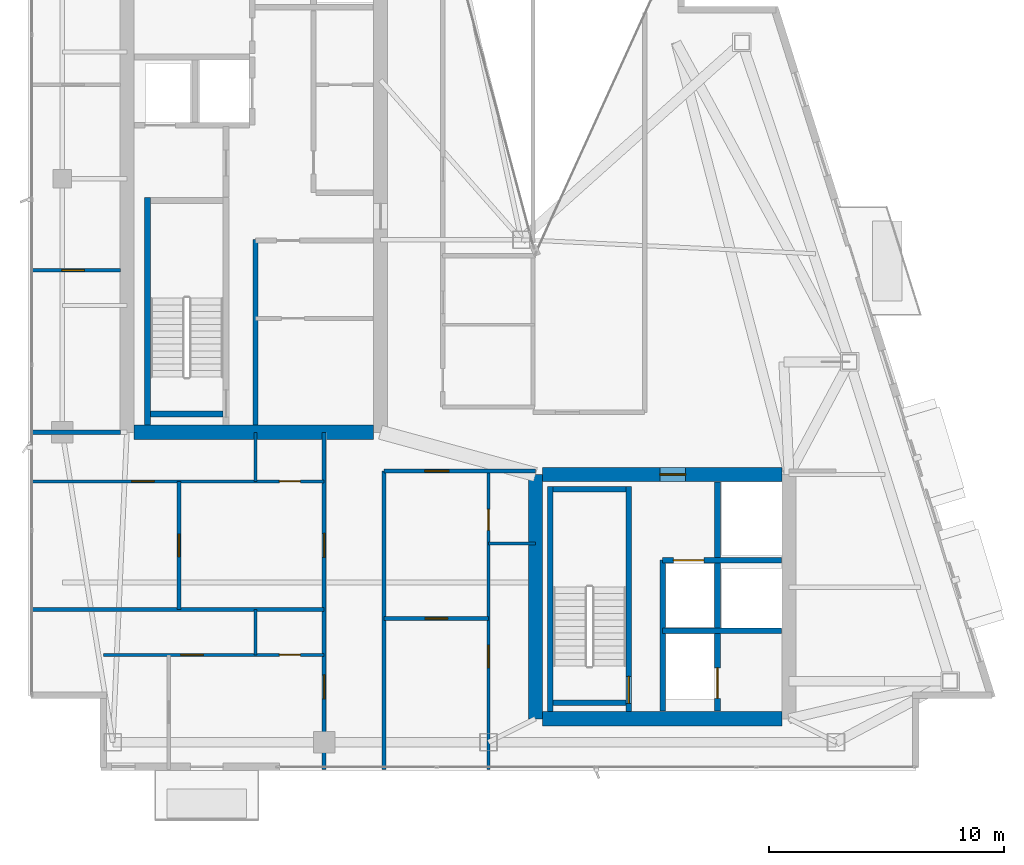
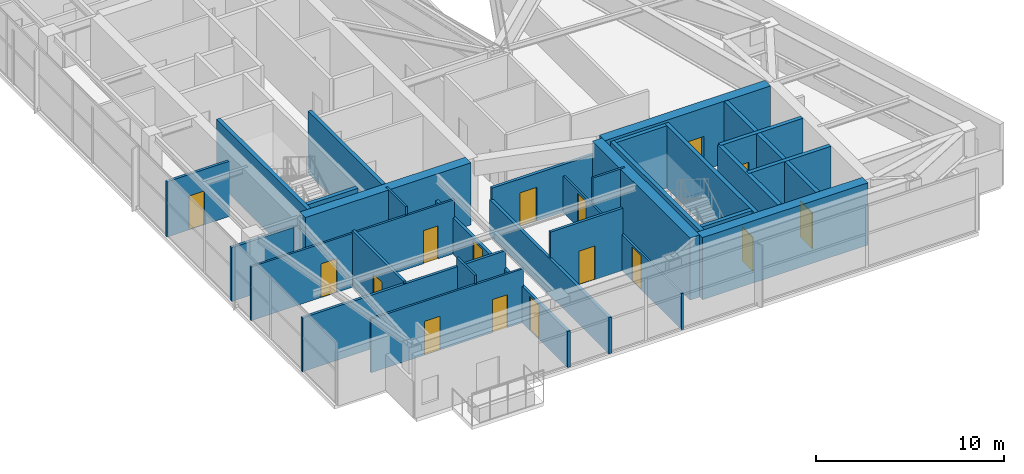
# One storey, part 21 of 26: 29 walls, 16 doors, 16 openings.
"""IFC4 building model written with IfcOpenShell, lengths in metres."""

from ifc_helpers import new_model, si_unit, direction, frame, frame_2d, origin, place, context, subcontext, project, spatial, rectangle, extrude, material, layer, layer_set, type_object, element, fill, save


model = new_model("IFC4")

# Units and contexts
model_context = context("Model", 3, precision=1e-05, world=origin(), true_north=direction((0.0, 1.0)))
body_context = subcontext(model_context, "Body", "Model", "MODEL_VIEW")
ifc_project = project(units=[si_unit("LENGTHUNIT", "METRE"), si_unit("AREAUNIT", "SQUARE_METRE"), si_unit("VOLUMEUNIT", "CUBIC_METRE"), si_unit("PLANEANGLEUNIT", "RADIAN"), si_unit("MASSUNIT", "GRAM", prefix="KILO")], contexts=[model_context])

# Site, building, storey
site_placement = place(None, origin())
site = spatial("IfcSite", under=ifc_project, at=site_placement, CompositionType="ELEMENT")
building_placement = place(site_placement, origin())
building = spatial("IfcBuilding", under=site, at=building_placement, Name="Calvorn Quay Hotel", CompositionType="ELEMENT")
storey_placement = place(building_placement, frame((0.0, 0.0, 302.5)))
storey = spatial("IfcBuildingStorey", under=building, at=storey_placement, Name="L75", CompositionType="ELEMENT", Elevation=302.5)

# Walls
ifc_material_1 = material(Name="Concrete C45", Category="concrete")
ifc_layer_1 = layer(ifc_material_1, 0.60009765625)
ifc_layer_set_1 = layer_set([ifc_layer_1], Name="WL-CORE-600")
wall_type_1 = type_object("IfcWallType", Name="WL-CORE-600", PredefinedType="SHEAR", material=ifc_layer_set_1)
wall_1_placement = place(storey_placement, frame((4.5, 16.800048828125, 0.0), z_axis=(0.0, 0.0, 1.0), x_axis=(1.0, 0.0, 0.0)))
element("IfcWall", 1, at=wall_1_placement, inside=storey, type_object=wall_type_1, Name="West Core Shear Wall S (L75)", PredefinedType="SHEAR", context=body_context, shape_type="SweptSolid", body=[
    extrude(rectangle(XDim=10.199951171875, YDim=0.60009765625, at=frame_2d((5.10009765625, 0.0))), origin(), (0.0, 0.0, 1.0), 4.050048828125),
])
wall_2_placement = place(storey_placement, frame((21.60009765625, 4.60009765625, 0.0), z_axis=(0.0, 0.0, 1.0), x_axis=(0.0, 1.0, 0.0)))
element("IfcWall", 2, at=wall_2_placement, inside=storey, type_object=wall_type_1, Name="East Core Shear Wall W (L75)", PredefinedType="SHEAR", context=body_context, shape_type="SweptSolid", body=[
    extrude(rectangle(XDim=10.39990234375, YDim=0.60009765625, at=frame_2d((5.199951171875, 0.0))), origin(), (0.0, 0.0, 1.0), 4.050048828125),
])

# Wall, opening, door
wall_3_placement = place(storey_placement, frame((21.89990234375, 15.0, 0.0), z_axis=(0.0, 0.0, 1.0), x_axis=(1.0, 0.0, 0.0)))
wall_3 = element("IfcWall", 3, at=wall_3_placement, inside=storey, type_object=wall_type_1, Name="East Core Shear Wall N (L75)", PredefinedType="SHEAR", context=body_context, shape_type="SweptSolid", body=[
    extrude(rectangle(XDim=10.2001953125, YDim=0.60009765625, at=frame_2d((5.10009765625, 0.0))), origin(), (0.0, 0.0, 1.0), 4.050048828125),
])
opening_1_placement = place(wall_3_placement, frame((5.0, 0.0, 0.0)))
opening_1 = element("IfcOpeningElement", 4, at=opening_1_placement, cuts=wall_3, Name="Opening D-L75-FLE", PredefinedType="OPENING", context=body_context, shape_type="SweptSolid", body=[
    extrude(rectangle(XDim=1.10009765625, YDim=2.199951171875, at=frame_2d((0.550048828125, 1.10009765625))), frame((0.0, 0.31005859375, 0.0), z_axis=(0.0, -1.0, 0.0), x_axis=(1.0, 0.0, 0.0)), (0.0, 0.0, 1.0), 0.6201171875),
])
ifc_material_2 = material(Name="Smoke-Sealed Steel Class A Fire Door", Category="steel")
door_type_1 = type_object("IfcDoorType", Name="DR-FFLOBBY-1100", OperationType="NOTDEFINED", PredefinedType="DOOR", material=ifc_material_2)
door_1_placement = place(opening_1_placement, origin())
door_1 = element("IfcDoor", 5, at=door_1_placement, inside=storey, type_object=door_type_1, Name="East Firefighting Lobby Fire Door (L75)", OperationType="SINGLE_SWING_LEFT", OverallHeight=2.199951171875, OverallWidth=1.10009765625, PredefinedType="DOOR", context=body_context, shape_type="SweptSolid", body=[
    extrude(rectangle(XDim=1.10009765625, YDim=2.199951171875, at=frame_2d((0.550048828125, 1.10009765625))), frame((0.0, 0.02490234375, 0.0), z_axis=(0.0, -1.0, 0.0), x_axis=(1.0, 0.0, 0.0)), (0.0, 0.0, 1.0), 0.050048828125),
])
fill(opening_1, door_1)

# Walls
wall_4_placement = place(storey_placement, frame((21.89990234375, 4.60009765625, 0.0), z_axis=(0.0, 0.0, 1.0), x_axis=(1.0, 0.0, 0.0)))
element("IfcWall", 6, at=wall_4_placement, inside=storey, type_object=wall_type_1, Name="East Core Shear Wall S (L75)", PredefinedType="SHEAR", context=body_context, shape_type="SweptSolid", body=[
    extrude(rectangle(XDim=10.2001953125, YDim=0.60009765625, at=frame_2d((5.10009765625, 0.0))), origin(), (0.0, 0.0, 1.0), 4.050048828125),
])
ifc_material_3 = material(Name="Acoustic Fireboard Steel-Stud Partition", Category="steel")
ifc_layer_2 = layer(ifc_material_3, 0.179931640625)
ifc_layer_set_2 = layer_set([ifc_layer_2], Name="WL-CORR-FIRE-180")
wall_type_2 = type_object("IfcWallType", Name="WL-CORR-FIRE-180", PredefinedType="PARTITIONING", material=ifc_layer_set_2)
wall_5_placement = place(storey_placement, frame((0.080078125, 16.800048828125, 0.0), z_axis=(0.0, 0.0, 1.0), x_axis=(1.0, 0.0, 0.0)))
element("IfcWall", 7, at=wall_5_placement, inside=storey, type_object=wall_type_2, Name="Partition Wall L75-WL-WBAY-S-WALL", PredefinedType="PARTITIONING", context=body_context, shape_type="SweptSolid", body=[
    extrude(rectangle(XDim=3.849853515625, YDim=0.179931640625, at=frame_2d((1.9248046875, 0.0))), origin(), (0.0, 0.0, 1.0), 3.5),
])

# Wall, openings, doors
wall_6_placement = place(storey_placement, frame((12.60009765625, 2.43994140625, 0.0), z_axis=(0.0, 0.0, 1.0), x_axis=(0.0, 1.0, 0.0)))
wall_6 = element("IfcWall", 8, at=wall_6_placement, inside=storey, type_object=wall_type_2, Name="Partition Wall L75-WL-CORR-SW-LEG-W", PredefinedType="PARTITIONING", context=body_context, shape_type="SweptSolid", body=[
    extrude(rectangle(XDim=14.360107421875, YDim=0.179931640625, at=frame_2d((7.18017578125, 0.0))), origin(), (0.0, 0.0, 1.0), 2.35009765625),
])
opening_2_placement = place(wall_6_placement, frame((3.010009765625, 0.0, 0.0)))
opening_2 = element("IfcOpeningElement", 9, at=opening_2_placement, cuts=wall_6, Name="Opening D-L75-U01", PredefinedType="OPENING", context=body_context, shape_type="SweptSolid", body=[
    extrude(rectangle(XDim=1.02001953125, YDim=2.199951171875, at=frame_2d((0.510009765625, 1.10009765625))), frame((0.0, 0.099853515625, 0.0), z_axis=(0.0, -1.0, 0.0), x_axis=(1.0, 0.0, 0.0)), (0.0, 0.0, 1.0), 0.199951171875),
])
opening_3_placement = place(wall_6_placement, frame((9.030029296875, 0.0, 0.0)))
opening_3 = element("IfcOpeningElement", 10, at=opening_3_placement, cuts=wall_6, Name="Opening D-L75-U02", PredefinedType="OPENING", context=body_context, shape_type="SweptSolid", body=[
    extrude(rectangle(XDim=1.02001953125, YDim=2.199951171875, at=frame_2d((0.510009765625, 1.10009765625))), frame((0.0, 0.099853515625, 0.0), z_axis=(0.0, -1.0, 0.0), x_axis=(1.0, 0.0, 0.0)), (0.0, 0.0, 1.0), 0.199951171875),
])
ifc_material_4 = material(Name="Solid-Core Walnut Veneer Hotel Fire Door")
door_type_2 = type_object("IfcDoorType", Name="DR-GUEST-ENTRY-1020", OperationType="NOTDEFINED", PredefinedType="DOOR", material=ifc_material_4)
door_2_placement = place(opening_2_placement, origin())
door_2 = element("IfcDoor", 11, at=door_2_placement, inside=storey, type_object=door_type_2, Name="South-West Unit Door U01 (L75)", OperationType="SINGLE_SWING_LEFT", OverallHeight=2.199951171875, OverallWidth=1.02001953125, PredefinedType="DOOR", context=body_context, shape_type="SweptSolid", body=[
    extrude(rectangle(XDim=1.02001953125, YDim=2.199951171875, at=frame_2d((0.510009765625, 1.10009765625))), frame((0.0, 0.02490234375, 0.0), z_axis=(0.0, -1.0, 0.0), x_axis=(1.0, 0.0, 0.0)), (0.0, 0.0, 1.0), 0.050048828125),
])
fill(opening_2, door_2)
door_3_placement = place(opening_3_placement, origin())
door_3 = element("IfcDoor", 12, at=door_3_placement, inside=storey, type_object=door_type_2, Name="South-West Unit Door U02 (L75)", OperationType="SINGLE_SWING_RIGHT", OverallHeight=2.199951171875, OverallWidth=1.02001953125, PredefinedType="DOOR", context=body_context, shape_type="SweptSolid", body=[
    extrude(rectangle(XDim=1.02001953125, YDim=2.199951171875, at=frame_2d((0.510009765625, 1.10009765625))), frame((0.0, 0.02490234375, 0.0), z_axis=(0.0, -1.0, 0.0), x_axis=(1.0, 0.0, 0.0)), (0.0, 0.0, 1.0), 0.050048828125),
])
fill(opening_3, door_3)

# Wall
wall_7_placement = place(storey_placement, frame((15.14990234375, 2.43994140625, 0.0), z_axis=(0.0, 0.0, 1.0), x_axis=(0.0, 1.0, 0.0)))
element("IfcWall", 13, at=wall_7_placement, inside=storey, type_object=wall_type_2, Name="Partition Wall L75-WL-CORR-SW-W", PredefinedType="PARTITIONING", context=body_context, shape_type="SweptSolid", body=[
    extrude(rectangle(XDim=12.7099609375, YDim=0.179931640625, at=frame_2d((6.35498046875, 0.0))), origin(), (0.0, 0.0, 1.0), 2.35009765625),
])

# Wall, opening, door
wall_8_placement = place(storey_placement, frame((15.14990234375, 15.14990234375, 0.0), z_axis=(0.0, 0.0, 1.0), x_axis=(1.0, 0.0, 0.0)))
wall_8 = element("IfcWall", 14, at=wall_8_placement, inside=storey, type_object=wall_type_2, Name="Partition Wall L75-WL-SC-CORR-S", PredefinedType="PARTITIONING", context=body_context, shape_type="SweptSolid", body=[
    extrude(rectangle(XDim=6.4501953125, YDim=0.179931640625, at=frame_2d((3.22509765625, 0.0))), origin(), (0.0, 0.0, 1.0), 3.10009765625),
])
opening_4_placement = place(wall_8_placement, frame((1.739990234375, 0.0, 0.0)))
opening_4 = element("IfcOpeningElement", 15, at=opening_4_placement, cuts=wall_8, Name="Opening D-L75-U03", PredefinedType="OPENING", context=body_context, shape_type="SweptSolid", body=[
    extrude(rectangle(XDim=1.02001953125, YDim=2.199951171875, at=frame_2d((0.510009765625, 1.10009765625))), frame((0.0, 0.099853515625, 0.0), z_axis=(0.0, -1.0, 0.0), x_axis=(1.0, 0.0, 0.0)), (0.0, 0.0, 1.0), 0.199951171875),
])
door_4_placement = place(opening_4_placement, origin())
door_4 = element("IfcDoor", 16, at=door_4_placement, inside=storey, type_object=door_type_2, Name="Harbour Central Unit Door (L75)", OperationType="SINGLE_SWING_LEFT", OverallHeight=2.199951171875, OverallWidth=1.02001953125, PredefinedType="DOOR", context=body_context, shape_type="SweptSolid", body=[
    extrude(rectangle(XDim=1.02001953125, YDim=2.199951171875, at=frame_2d((0.510009765625, 1.10009765625))), frame((0.0, 0.02490234375, 0.0), z_axis=(0.0, -1.0, 0.0), x_axis=(1.0, 0.0, 0.0)), (0.0, 0.0, 1.0), 0.050048828125),
])
fill(opening_4, door_4)

# Wall
ifc_material_5 = material(Name="Moisture-Resistant Tile-Backed Partition")
ifc_layer_3 = layer(ifc_material_5, 0.125)
ifc_layer_set_3 = layer_set([ifc_layer_3], Name="WL-ENSUITE-125")
wall_type_3 = type_object("IfcWallType", Name="WL-ENSUITE-125", PredefinedType="PARTITIONING", material=ifc_layer_set_3)
wall_9_placement = place(storey_placement, frame((9.679931640625, 7.320068359375, 0.0), z_axis=(0.0, 0.0, 1.0), x_axis=(0.0, 1.0, 0.0)))
element("IfcWall", 17, at=wall_9_placement, inside=storey, type_object=wall_type_3, Name="Partition Wall L75-WL-U01-BDV", PredefinedType="PARTITIONING", context=body_context, shape_type="SweptSolid", body=[
    extrude(rectangle(XDim=1.929931640625, YDim=0.125, at=frame_2d((0.96484375, 0.0))), origin(), (0.0, 0.0, 1.0), 4.050048828125),
])

# Wall, openings, doors
wall_10_placement = place(storey_placement, frame((3.199951171875, 7.320068359375, 0.0), z_axis=(0.0, 0.0, 1.0), x_axis=(1.0, 0.0, 0.0)))
wall_10 = element("IfcWall", 18, at=wall_10_placement, inside=storey, type_object=wall_type_3, Name="Partition Wall L75-WL-U01-BH", PredefinedType="PARTITIONING", context=body_context, shape_type="SweptSolid", body=[
    extrude(rectangle(XDim=9.400146484375, YDim=0.125, at=frame_2d((4.7001953125, 0.0))), origin(), (0.0, 0.0, 1.0), 3.5),
])
opening_5_placement = place(wall_10_placement, frame((3.300048828125, 0.0, 0.0)))
opening_5 = element("IfcOpeningElement", 19, at=opening_5_placement, cuts=wall_10, Name="Opening D-L75-S01", PredefinedType="OPENING", context=body_context, shape_type="SweptSolid", body=[
    extrude(rectangle(XDim=0.9599609375, YDim=2.199951171875, at=frame_2d((0.47998046875, 1.10009765625))), frame((0.0, 0.072509765625, 0.0), z_axis=(0.0, -1.0, 0.0), x_axis=(1.0, 0.0, 0.0)), (0.0, 0.0, 1.0), 0.14501953125),
])
opening_6_placement = place(wall_10_placement, frame((7.489990234375, 0.0, 0.0)))
opening_6 = element("IfcOpeningElement", 20, at=opening_6_placement, cuts=wall_10, Name="Opening D-L75-E01", PredefinedType="OPENING", context=body_context, shape_type="SweptSolid", body=[
    extrude(rectangle(XDim=0.89990234375, YDim=2.14990234375, at=frame_2d((0.449951171875, 1.074951171875))), frame((0.0, 0.072509765625, 0.0), z_axis=(0.0, -1.0, 0.0), x_axis=(1.0, 0.0, 0.0)), (0.0, 0.0, 1.0), 0.14501953125),
])
ifc_material_6 = material(Name="Moisture-Sealed Timber En-Suite Door", Category="wood")
door_type_3 = type_object("IfcDoorType", Name="DR-ENSUITE-900", OperationType="NOTDEFINED", PredefinedType="DOOR", material=ifc_material_6)
door_5_placement = place(opening_6_placement, origin())
door_5 = element("IfcDoor", 21, at=door_5_placement, inside=storey, type_object=door_type_3, Name="En-Suite Door 01", OperationType="SINGLE_SWING_RIGHT", OverallHeight=2.14990234375, OverallWidth=0.89990234375, PredefinedType="DOOR", context=body_context, shape_type="SweptSolid", body=[
    extrude(rectangle(XDim=0.89990234375, YDim=2.14990234375, at=frame_2d((0.449951171875, 1.074951171875))), frame((0.0, 0.02490234375, 0.0), z_axis=(0.0, -1.0, 0.0), x_axis=(1.0, 0.0, 0.0)), (0.0, 0.0, 1.0), 0.050048828125),
])
fill(opening_6, door_5)
ifc_material_7 = material(Name="Solid Timber Internal Suite Door", Category="wood")
door_type_4 = type_object("IfcDoorType", Name="DR-SUITE-INT-960", OperationType="NOTDEFINED", PredefinedType="DOOR", material=ifc_material_7)
door_6_placement = place(opening_5_placement, origin())
door_6 = element("IfcDoor", 22, at=door_6_placement, inside=storey, type_object=door_type_4, Name="Private Executive Study Door 01", OperationType="SINGLE_SWING_LEFT", OverallHeight=2.199951171875, OverallWidth=0.9599609375, PredefinedType="DOOR", context=body_context, shape_type="SweptSolid", body=[
    extrude(rectangle(XDim=0.9599609375, YDim=2.199951171875, at=frame_2d((0.47998046875, 1.10009765625))), frame((0.0, 0.02490234375, 0.0), z_axis=(0.0, -1.0, 0.0), x_axis=(1.0, 0.0, 0.0)), (0.0, 0.0, 1.0), 0.050048828125),
])
fill(opening_5, door_6)

# Wall
wall_11_placement = place(storey_placement, frame((9.679931640625, 14.7099609375, 0.0), z_axis=(0.0, 0.0, 1.0), x_axis=(0.0, 1.0, 0.0)))
element("IfcWall", 23, at=wall_11_placement, inside=storey, type_object=wall_type_3, Name="Partition Wall L75-WL-U02-BDV", PredefinedType="PARTITIONING", context=body_context, shape_type="SweptSolid", body=[
    extrude(rectangle(XDim=2.090087890625, YDim=0.125, at=frame_2d((1.044921875, 0.0))), origin(), (0.0, 0.0, 1.0), 4.050048828125),
])

# Wall, openings, doors
wall_12_placement = place(storey_placement, frame((0.080078125, 14.7099609375, 0.0), z_axis=(0.0, 0.0, 1.0), x_axis=(1.0, 0.0, 0.0)))
wall_12 = element("IfcWall", 24, at=wall_12_placement, inside=storey, type_object=wall_type_3, Name="Partition Wall L75-WL-U02-BH", PredefinedType="PARTITIONING", context=body_context, shape_type="SweptSolid", body=[
    extrude(rectangle(XDim=12.52001953125, YDim=0.125, at=frame_2d((6.260009765625, 0.0))), origin(), (0.0, 0.0, 1.0), 3.5),
])
opening_7_placement = place(wall_12_placement, frame((4.320068359375, 0.0, 0.0)))
opening_7 = element("IfcOpeningElement", 25, at=opening_7_placement, cuts=wall_12, Name="Opening D-L75-S02", PredefinedType="OPENING", context=body_context, shape_type="SweptSolid", body=[
    extrude(rectangle(XDim=0.9599609375, YDim=2.199951171875, at=frame_2d((0.47998046875, 1.10009765625))), frame((0.0, 0.072509765625, 0.0), z_axis=(0.0, -1.0, 0.0), x_axis=(1.0, 0.0, 0.0)), (0.0, 0.0, 1.0), 0.14501953125),
])
opening_8_placement = place(wall_12_placement, frame((10.610107421875, 0.0, 0.0)))
opening_8 = element("IfcOpeningElement", 26, at=opening_8_placement, cuts=wall_12, Name="Opening D-L75-E02", PredefinedType="OPENING", context=body_context, shape_type="SweptSolid", body=[
    extrude(rectangle(XDim=0.89990234375, YDim=2.14990234375, at=frame_2d((0.449951171875, 1.074951171875))), frame((0.0, 0.072509765625, 0.0), z_axis=(0.0, -1.0, 0.0), x_axis=(1.0, 0.0, 0.0)), (0.0, 0.0, 1.0), 0.14501953125),
])
door_7_placement = place(opening_8_placement, origin())
door_7 = element("IfcDoor", 27, at=door_7_placement, inside=storey, type_object=door_type_3, Name="En-Suite Door 02", OperationType="SINGLE_SWING_RIGHT", OverallHeight=2.14990234375, OverallWidth=0.89990234375, PredefinedType="DOOR", context=body_context, shape_type="SweptSolid", body=[
    extrude(rectangle(XDim=0.89990234375, YDim=2.14990234375, at=frame_2d((0.449951171875, 1.074951171875))), frame((0.0, 0.02490234375, 0.0), z_axis=(0.0, -1.0, 0.0), x_axis=(1.0, 0.0, 0.0)), (0.0, 0.0, 1.0), 0.050048828125),
])
fill(opening_8, door_7)
door_8_placement = place(opening_7_placement, origin())
door_8 = element("IfcDoor", 28, at=door_8_placement, inside=storey, type_object=door_type_4, Name="Private Executive Study Door 02", OperationType="SINGLE_SWING_LEFT", OverallHeight=2.199951171875, OverallWidth=0.9599609375, PredefinedType="DOOR", context=body_context, shape_type="SweptSolid", body=[
    extrude(rectangle(XDim=0.9599609375, YDim=2.199951171875, at=frame_2d((0.47998046875, 1.10009765625))), frame((0.0, 0.02490234375, 0.0), z_axis=(0.0, -1.0, 0.0), x_axis=(1.0, 0.0, 0.0)), (0.0, 0.0, 1.0), 0.050048828125),
])
fill(opening_7, door_8)

# Wall
wall_13_placement = place(storey_placement, frame((19.60009765625, 12.070068359375, 0.0), z_axis=(0.0, 0.0, 1.0), x_axis=(1.0, 0.0, 0.0)))
element("IfcWall", 29, at=wall_13_placement, inside=storey, type_object=wall_type_3, Name="Partition Wall L75-WL-U03-BDV", PredefinedType="PARTITIONING", context=body_context, shape_type="SweptSolid", body=[
    extrude(rectangle(XDim=2.0, YDim=0.125, at=frame_2d((1.0, 0.0))), origin(), (0.0, 0.0, 1.0), 4.050048828125),
])

# Wall, openings, doors
wall_14_placement = place(storey_placement, frame((19.60009765625, 2.43994140625, 0.0), z_axis=(0.0, 0.0, 1.0), x_axis=(0.0, 1.0, 0.0)))
wall_14 = element("IfcWall", 30, at=wall_14_placement, inside=storey, type_object=wall_type_3, Name="Partition Wall L75-WL-U03-BV", PredefinedType="PARTITIONING", context=body_context, shape_type="SweptSolid", body=[
    extrude(rectangle(XDim=12.7099609375, YDim=0.125, at=frame_2d((6.35498046875, 0.0))), origin(), (0.0, 0.0, 1.0), 2.35009765625),
])
opening_9_placement = place(wall_14_placement, frame((4.340087890625, 0.0, 0.0)))
opening_9 = element("IfcOpeningElement", 31, at=opening_9_placement, cuts=wall_14, Name="Opening D-L75-S03", PredefinedType="OPENING", context=body_context, shape_type="SweptSolid", body=[
    extrude(rectangle(XDim=0.9599609375, YDim=2.199951171875, at=frame_2d((0.47998046875, 1.10009765625))), frame((0.0, 0.072509765625, 0.0), z_axis=(0.0, -1.0, 0.0), x_axis=(1.0, 0.0, 0.0)), (0.0, 0.0, 1.0), 0.14501953125),
])
opening_10_placement = place(wall_14_placement, frame((10.179931640625, 0.0, 0.0)))
opening_10 = element("IfcOpeningElement", 32, at=opening_10_placement, cuts=wall_14, Name="Opening D-L75-E03", PredefinedType="OPENING", context=body_context, shape_type="SweptSolid", body=[
    extrude(rectangle(XDim=0.89990234375, YDim=2.14990234375, at=frame_2d((0.449951171875, 1.074951171875))), frame((0.0, 0.072509765625, 0.0), z_axis=(0.0, -1.0, 0.0), x_axis=(1.0, 0.0, 0.0)), (0.0, 0.0, 1.0), 0.14501953125),
])
door_9_placement = place(opening_10_placement, origin())
door_9 = element("IfcDoor", 33, at=door_9_placement, inside=storey, type_object=door_type_3, Name="En-Suite Door 03", OperationType="SINGLE_SWING_RIGHT", OverallHeight=2.14990234375, OverallWidth=0.89990234375, PredefinedType="DOOR", context=body_context, shape_type="SweptSolid", body=[
    extrude(rectangle(XDim=0.89990234375, YDim=2.14990234375, at=frame_2d((0.449951171875, 1.074951171875))), frame((0.0, 0.02490234375, 0.0), z_axis=(0.0, -1.0, 0.0), x_axis=(1.0, 0.0, 0.0)), (0.0, 0.0, 1.0), 0.050048828125),
])
fill(opening_10, door_9)
door_10_placement = place(opening_9_placement, origin())
door_10 = element("IfcDoor", 34, at=door_10_placement, inside=storey, type_object=door_type_4, Name="Private Executive Study Door 03", OperationType="SINGLE_SWING_LEFT", OverallHeight=2.199951171875, OverallWidth=0.9599609375, PredefinedType="DOOR", context=body_context, shape_type="SweptSolid", body=[
    extrude(rectangle(XDim=0.9599609375, YDim=2.199951171875, at=frame_2d((0.47998046875, 1.10009765625))), frame((0.0, 0.02490234375, 0.0), z_axis=(0.0, -1.0, 0.0), x_axis=(1.0, 0.0, 0.0)), (0.0, 0.0, 1.0), 0.050048828125),
])
fill(opening_9, door_10)

# Wall, opening, door
ifc_material_8 = material(Name="Double-Stud Acoustic Gypsum Partition")
ifc_layer_4 = layer(ifc_material_8, 0.159912109375)
ifc_layer_set_4 = layer_set([ifc_layer_4], Name="WL-INTERSUITE-160")
wall_type_4 = type_object("IfcWallType", Name="WL-INTERSUITE-160", PredefinedType="PARTITIONING", material=ifc_layer_set_4)
wall_15_placement = place(storey_placement, frame((0.080078125, 23.699951171875, 0.0), z_axis=(0.0, 0.0, 1.0), x_axis=(1.0, 0.0, 0.0)))
wall_15 = element("IfcWall", 35, at=wall_15_placement, inside=storey, type_object=wall_type_4, Name="Partition Wall L75-WL-WBAY-DIVA", PredefinedType="PARTITIONING", context=body_context, shape_type="SweptSolid", body=[
    extrude(rectangle(XDim=3.849853515625, YDim=0.159912109375, at=frame_2d((1.9248046875, 0.0))), origin(), (0.0, 0.0, 1.0), 3.60009765625),
])
opening_11_placement = place(wall_15_placement, frame((1.35009765625, 0.0, 0.0)))
opening_11 = element("IfcOpeningElement", 36, at=opening_11_placement, cuts=wall_15, Name="Opening D-L75-WBA", PredefinedType="OPENING", context=body_context, shape_type="SweptSolid", body=[
    extrude(rectangle(XDim=0.9599609375, YDim=2.199951171875, at=frame_2d((0.47998046875, 1.10009765625))), frame((0.0, 0.08984375, 0.0), z_axis=(0.0, -1.0, 0.0), x_axis=(1.0, 0.0, 0.0)), (0.0, 0.0, 1.0), 0.179931640625),
])
door_11_placement = place(opening_11_placement, origin())
door_11 = element("IfcDoor", 37, at=door_11_placement, inside=storey, type_object=door_type_4, Name="West South Connecting Door (L75)", OperationType="SINGLE_SWING_LEFT", OverallHeight=2.199951171875, OverallWidth=0.9599609375, PredefinedType="DOOR", context=body_context, shape_type="SweptSolid", body=[
    extrude(rectangle(XDim=0.9599609375, YDim=2.199951171875, at=frame_2d((0.47998046875, 1.10009765625))), frame((0.0, 0.02490234375, 0.0), z_axis=(0.0, -1.0, 0.0), x_axis=(1.0, 0.0, 0.0)), (0.0, 0.0, 1.0), 0.050048828125),
])
fill(opening_11, door_11)

wall_16_placement = place(storey_placement, frame((6.419921875, 9.25, 0.0), z_axis=(0.0, 0.0, 1.0), x_axis=(0.0, 1.0, 0.0)))
wall_16 = element("IfcWall", 38, at=wall_16_placement, inside=storey, type_object=wall_type_4, Name="Partition Wall L75-WL-U02-MSP", PredefinedType="PARTITIONING", context=body_context, shape_type="SweptSolid", body=[
    extrude(rectangle(XDim=5.4599609375, YDim=0.159912109375, at=frame_2d((2.72998046875, 0.0))), origin(), (0.0, 0.0, 1.0), 3.64990234375),
])
opening_12_placement = place(wall_16_placement, frame((2.25, 0.0, 0.0)))
opening_12 = element("IfcOpeningElement", 39, at=opening_12_placement, cuts=wall_16, Name="Opening D-L75-M02", PredefinedType="OPENING", context=body_context, shape_type="SweptSolid", body=[
    extrude(rectangle(XDim=0.9599609375, YDim=2.199951171875, at=frame_2d((0.47998046875, 1.10009765625))), frame((0.0, 0.08984375, 0.0), z_axis=(0.0, -1.0, 0.0), x_axis=(1.0, 0.0, 0.0)), (0.0, 0.0, 1.0), 0.179931640625),
])
door_12_placement = place(opening_12_placement, origin())
door_12 = element("IfcDoor", 40, at=door_12_placement, inside=storey, type_object=door_type_4, Name="Suite Bedroom Door 02", OperationType="SINGLE_SWING_LEFT", OverallHeight=2.199951171875, OverallWidth=0.9599609375, PredefinedType="DOOR", context=body_context, shape_type="SweptSolid", body=[
    extrude(rectangle(XDim=0.9599609375, YDim=2.199951171875, at=frame_2d((0.47998046875, 1.10009765625))), frame((0.0, 0.02490234375, 0.0), z_axis=(0.0, -1.0, 0.0), x_axis=(1.0, 0.0, 0.0)), (0.0, 0.0, 1.0), 0.050048828125),
])
fill(opening_12, door_12)

# Wall
wall_17_placement = place(storey_placement, frame((0.080078125, 9.25, 0.0), z_axis=(0.0, 0.0, 1.0), x_axis=(1.0, 0.0, 0.0)))
element("IfcWall", 41, at=wall_17_placement, inside=storey, type_object=wall_type_4, Name="Partition Wall L75-WL-SW-DIV-1", PredefinedType="PARTITIONING", context=body_context, shape_type="SweptSolid", body=[
    extrude(rectangle(XDim=12.52001953125, YDim=0.159912109375, at=frame_2d((6.260009765625, 0.0))), origin(), (0.0, 0.0, 1.0), 3.5),
])

# Wall, opening, door
wall_18_placement = place(storey_placement, frame((15.14990234375, 8.8701171875, 0.0), z_axis=(0.0, 0.0, 1.0), x_axis=(1.0, 0.0, 0.0)))
wall_18 = element("IfcWall", 42, at=wall_18_placement, inside=storey, type_object=wall_type_4, Name="Partition Wall L75-WL-U03-MSP", PredefinedType="PARTITIONING", context=body_context, shape_type="SweptSolid", body=[
    extrude(rectangle(XDim=4.4501953125, YDim=0.159912109375, at=frame_2d((2.22509765625, 0.0))), origin(), (0.0, 0.0, 1.0), 4.050048828125),
])
opening_13_placement = place(wall_18_placement, frame((1.75, 0.0, 0.0)))
opening_13 = element("IfcOpeningElement", 43, at=opening_13_placement, cuts=wall_18, Name="Opening D-L75-M03", PredefinedType="OPENING", context=body_context, shape_type="SweptSolid", body=[
    extrude(rectangle(XDim=0.9599609375, YDim=2.199951171875, at=frame_2d((0.47998046875, 1.10009765625))), frame((0.0, 0.08984375, 0.0), z_axis=(0.0, -1.0, 0.0), x_axis=(1.0, 0.0, 0.0)), (0.0, 0.0, 1.0), 0.179931640625),
])
door_13_placement = place(opening_13_placement, origin())
door_13 = element("IfcDoor", 44, at=door_13_placement, inside=storey, type_object=door_type_4, Name="Suite Bedroom Door 03", OperationType="SINGLE_SWING_LEFT", OverallHeight=2.199951171875, OverallWidth=0.9599609375, PredefinedType="DOOR", context=body_context, shape_type="SweptSolid", body=[
    extrude(rectangle(XDim=0.9599609375, YDim=2.199951171875, at=frame_2d((0.47998046875, 1.10009765625))), frame((0.0, 0.02490234375, 0.0), z_axis=(0.0, -1.0, 0.0), x_axis=(1.0, 0.0, 0.0)), (0.0, 0.0, 1.0), 0.050048828125),
])
fill(opening_13, door_13)

# Walls
ifc_material_9 = material(Name="Autoclaved Aerated Masonry Block", Category="masonry")
ifc_layer_5 = layer(ifc_material_9, 0.219970703125)
ifc_layer_set_5 = layer_set([ifc_layer_5], Name="WL-LOBBY-FIRE-220")
wall_type_5 = type_object("IfcWallType", Name="WL-LOBBY-FIRE-220", PredefinedType="SOLIDWALL", material=ifc_layer_set_5)
wall_19_placement = place(storey_placement, frame((9.679931640625, 17.1201171875, 0.0), z_axis=(0.0, 0.0, 1.0), x_axis=(0.0, 1.0, 0.0)))
element("IfcWall", 45, at=wall_19_placement, inside=storey, type_object=wall_type_5, Name="Partition Wall L75-WL-CWW-STW-HALL-E", PredefinedType="SOLIDWALL", context=body_context, shape_type="SweptSolid", body=[
    extrude(rectangle(XDim=7.8798828125, YDim=0.219970703125, at=frame_2d((3.93994140625, 0.0))), origin(), (0.0, 0.0, 1.0), 4.050048828125),
])
ifc_material_10 = material(Name="Concrete C40", Category="concrete")
ifc_layer_6 = layer(ifc_material_10, 0.239990234375)
ifc_layer_set_6 = layer_set([ifc_layer_6], Name="WL-SHAFT-240")
wall_type_6 = type_object("IfcWallType", Name="WL-SHAFT-240", PredefinedType="SOLIDWALL", material=ifc_layer_set_6)
wall_20_placement = place(storey_placement, frame((5.080078125, 17.10009765625, 0.0), z_axis=(0.0, 0.0, 1.0), x_axis=(0.0, 1.0, 0.0)))
element("IfcWall", 46, at=wall_20_placement, inside=storey, type_object=wall_type_6, Name="Stair STW Shaft Wall W (L75)", PredefinedType="SOLIDWALL", context=body_context, shape_type="SweptSolid", body=[
    extrude(rectangle(XDim=9.68994140625, YDim=0.239990234375, at=frame_2d((4.844970703125, 0.0))), origin(), (0.0, 0.0, 1.0), 4.050048828125),
])
wall_21_placement = place(storey_placement, frame((5.199951171875, 17.580078125, 0.0), z_axis=(0.0, 0.0, 1.0), x_axis=(1.0, 0.0, 0.0)))
element("IfcWall", 47, at=wall_21_placement, inside=storey, type_object=wall_type_6, Name="Stair STW Shaft Wall S (L75)", PredefinedType="SOLIDWALL", context=body_context, shape_type="SweptSolid", body=[
    extrude(rectangle(XDim=3.10009765625, YDim=0.239990234375, at=frame_2d((1.550048828125, 0.0))), origin(), (0.0, 0.0, 1.0), 4.050048828125),
])
wall_22_placement = place(storey_placement, frame((22.22998046875, 4.89990234375, 0.0), z_axis=(0.0, 0.0, 1.0), x_axis=(0.0, 1.0, 0.0)))
element("IfcWall", 48, at=wall_22_placement, inside=storey, type_object=wall_type_6, Name="Stair STE Shaft Wall W (L75)", PredefinedType="SOLIDWALL", context=body_context, shape_type="SweptSolid", body=[
    extrude(rectangle(XDim=9.590087890625, YDim=0.239990234375, at=frame_2d((4.794921875, 0.0))), origin(), (0.0, 0.0, 1.0), 4.050048828125),
])

# Wall, opening, door
wall_23_placement = place(storey_placement, frame((25.570068359375, 4.89990234375, 0.0), z_axis=(0.0, 0.0, 1.0), x_axis=(0.0, 1.0, 0.0)))
wall_23 = element("IfcWall", 49, at=wall_23_placement, inside=storey, type_object=wall_type_6, Name="Stair STE Shaft Wall E (L75)", PredefinedType="SOLIDWALL", context=body_context, shape_type="SweptSolid", body=[
    extrude(rectangle(XDim=9.590087890625, YDim=0.239990234375, at=frame_2d((4.794921875, 0.0))), origin(), (0.0, 0.0, 1.0), 4.050048828125),
])
opening_14_placement = place(wall_23_placement, frame((0.35009765625, 0.0, 0.0)))
opening_14 = element("IfcOpeningElement", 50, at=opening_14_placement, cuts=wall_23, Name="Opening D-L75-STE", PredefinedType="OPENING", context=body_context, shape_type="SweptSolid", body=[
    extrude(rectangle(XDim=1.14990234375, YDim=2.199951171875, at=frame_2d((0.574951171875, 1.10009765625))), frame((0.0, 0.1298828125, 0.0), z_axis=(0.0, -1.0, 0.0), x_axis=(1.0, 0.0, 0.0)), (0.0, 0.0, 1.0), 0.260009765625),
])
ifc_material_11 = material(Name="Galvanised Steel Class A Fire Door", Category="steel")
door_type_5 = type_object("IfcDoorType", Name="DR-STAIR-SMOKE-1150", OperationType="NOTDEFINED", PredefinedType="DOOR", material=ifc_material_11)
door_14_placement = place(opening_14_placement, origin())
door_14 = element("IfcDoor", 51, at=door_14_placement, inside=storey, type_object=door_type_5, Name="Stair ST-E Fire Door (L75)", OperationType="SINGLE_SWING_RIGHT", OverallHeight=2.199951171875, OverallWidth=1.14990234375, PredefinedType="DOOR", context=body_context, shape_type="SweptSolid", body=[
    extrude(rectangle(XDim=1.14990234375, YDim=2.199951171875, at=frame_2d((0.574951171875, 1.10009765625))), frame((0.0, 0.02490234375, 0.0), z_axis=(0.0, -1.0, 0.0), x_axis=(1.0, 0.0, 0.0)), (0.0, 0.0, 1.0), 0.050048828125),
])
fill(opening_14, door_14)

# Walls
for number, where, z_axis, x_axis, name in (
    (52, (22.35009765625, 5.280029296875, 0.0), (0.0, 0.0, 1.0), (1.0, 0.0, 0.0), "Stair STE Shaft Wall S (L75)"),
    (53, (22.35009765625, 14.3701171875, 0.0), (0.0, 0.0, 1.0), (1.0, 0.0, 0.0), "Stair STE Shaft Wall N (L75)"),
):
    element("IfcWall", number, at=place(storey_placement, frame(where, z_axis=z_axis, x_axis=x_axis)), inside=storey, type_object=wall_type_6, Name=name, PredefinedType="SOLIDWALL", context=body_context, shape_type="SweptSolid", body=[
        extrude(rectangle(XDim=3.099853515625, YDim=0.239990234375, at=frame_2d((1.5498046875, 0.0))), origin(), (0.0, 0.0, 1.0), 4.050048828125),
    ])
wall_24_placement = place(storey_placement, frame((27.02001953125, 4.919921875, 0.0), z_axis=(0.0, 0.0, 1.0), x_axis=(0.0, 1.0, 0.0)))
element("IfcWall", 54, at=wall_24_placement, inside=storey, type_object=wall_type_6, Name="Partition Wall L75-WL-CWE-SH-W", PredefinedType="SOLIDWALL", context=body_context, shape_type="SweptSolid", body=[
    extrude(rectangle(XDim=6.43017578125, YDim=0.239990234375, at=frame_2d((3.215087890625, 0.0))), origin(), (0.0, 0.0, 1.0), 4.050048828125),
])

# Wall, opening, door
wall_25_placement = place(storey_placement, frame((27.02001953125, 11.35009765625, 0.0), z_axis=(0.0, 0.0, 1.0), x_axis=(1.0, 0.0, 0.0)))
wall_25 = element("IfcWall", 55, at=wall_25_placement, inside=storey, type_object=wall_type_6, Name="Partition Wall L75-WL-CWE-FFL-S", PredefinedType="SOLIDWALL", context=body_context, shape_type="SweptSolid", body=[
    extrude(rectangle(XDim=5.06005859375, YDim=0.239990234375, at=frame_2d((2.530029296875, 0.0))), origin(), (0.0, 0.0, 1.0), 4.050048828125),
])
opening_15_placement = place(wall_25_placement, frame((0.449951171875, 0.0, 0.0)))
opening_15 = element("IfcOpeningElement", 56, at=opening_15_placement, cuts=wall_25, Name="Opening LD-L75-FLE1", PredefinedType="OPENING", context=body_context, shape_type="SweptSolid", body=[
    extrude(rectangle(XDim=1.300048828125, YDim=2.35009765625, at=frame_2d((0.64990234375, 1.175048828125))), frame((0.0, 0.1298828125, 0.0), z_axis=(0.0, -1.0, 0.0), x_axis=(1.0, 0.0, 0.0)), (0.0, 0.0, 1.0), 0.260009765625),
])
ifc_material_12 = material(Name="Champagne-Bronze Sliding Express Lift Landing Door")
door_type_6 = type_object("IfcDoorType", Name="DR-LIFT-SHUTTLE-1300", OperationType="NOTDEFINED", PredefinedType="DOOR", material=ifc_material_12)
door_15_placement = place(opening_15_placement, origin())
door_15 = element("IfcDoor", 57, at=door_15_placement, inside=storey, type_object=door_type_6, Name="Firefighting Lift FL-E1 Landing Door (L75)", OperationType="DOUBLE_DOOR_SLIDING", OverallHeight=2.35009765625, OverallWidth=1.300048828125, PredefinedType="DOOR", context=body_context, shape_type="SweptSolid", body=[
    extrude(rectangle(XDim=1.300048828125, YDim=2.35009765625, at=frame_2d((0.64990234375, 1.175048828125))), frame((0.0, 0.02490234375, 0.0), z_axis=(0.0, -1.0, 0.0), x_axis=(1.0, 0.0, 0.0)), (0.0, 0.0, 1.0), 0.050048828125),
])
fill(opening_15, door_15)

# Wall
wall_26_placement = place(storey_placement, frame((27.02001953125, 8.35009765625, 0.0), z_axis=(0.0, 0.0, 1.0), x_axis=(1.0, 0.0, 0.0)))
element("IfcWall", 58, at=wall_26_placement, inside=storey, type_object=wall_type_6, Name="Partition Wall L75-WL-CWE-SL-N", PredefinedType="SOLIDWALL", context=body_context, shape_type="SweptSolid", body=[
    extrude(rectangle(XDim=5.06005859375, YDim=0.239990234375, at=frame_2d((2.530029296875, 0.0))), origin(), (0.0, 0.0, 1.0), 4.050048828125),
])

# Wall, opening, door
wall_27_placement = place(storey_placement, frame((29.35009765625, 4.919921875, 0.0), z_axis=(0.0, 0.0, 1.0), x_axis=(0.0, 1.0, 0.0)))
wall_27 = element("IfcWall", 59, at=wall_27_placement, inside=storey, type_object=wall_type_6, Name="Partition Wall L75-WL-CWE-OB-W", PredefinedType="SOLIDWALL", context=body_context, shape_type="SweptSolid", body=[
    extrude(rectangle(XDim=9.760009765625, YDim=0.239990234375, at=frame_2d((4.8798828125, 0.0))), origin(), (0.0, 0.0, 1.0), 4.050048828125),
])
opening_16_placement = place(wall_27_placement, frame((0.550048828125, 0.0, 0.0)))
opening_16 = element("IfcOpeningElement", 60, at=opening_16_placement, cuts=wall_27, Name="Opening LD-L75-SLEI", PredefinedType="OPENING", context=body_context, shape_type="SweptSolid", body=[
    extrude(rectangle(XDim=1.300048828125, YDim=2.35009765625, at=frame_2d((0.64990234375, 1.175048828125))), frame((0.0, 0.1298828125, 0.0), z_axis=(0.0, -1.0, 0.0), x_axis=(1.0, 0.0, 0.0)), (0.0, 0.0, 1.0), 0.260009765625),
])
door_16_placement = place(opening_16_placement, origin())
door_16 = element("IfcDoor", 61, at=door_16_placement, inside=storey, type_object=door_type_6, Name="Service Lift SL-E1 Landing Door (L75)", OperationType="DOUBLE_DOOR_SLIDING", OverallHeight=2.35009765625, OverallWidth=1.300048828125, PredefinedType="DOOR", context=body_context, shape_type="SweptSolid", body=[
    extrude(rectangle(XDim=1.300048828125, YDim=2.35009765625, at=frame_2d((0.64990234375, 1.175048828125))), frame((0.0, 0.02490234375, 0.0), z_axis=(0.0, -1.0, 0.0), x_axis=(1.0, 0.0, 0.0)), (0.0, 0.0, 1.0), 0.050048828125),
])
fill(opening_16, door_16)

save(model, "model.ifc")
